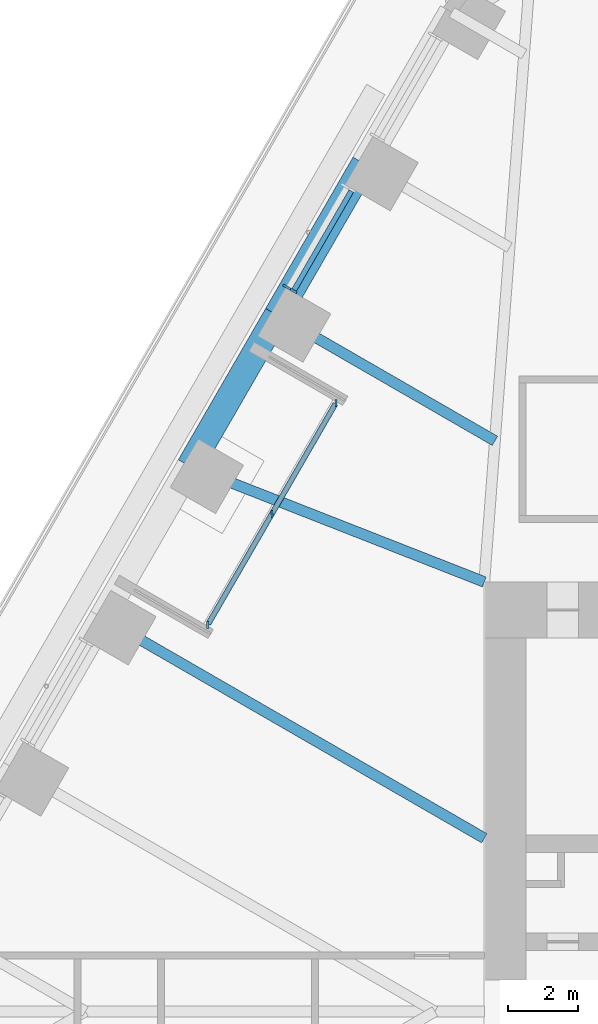
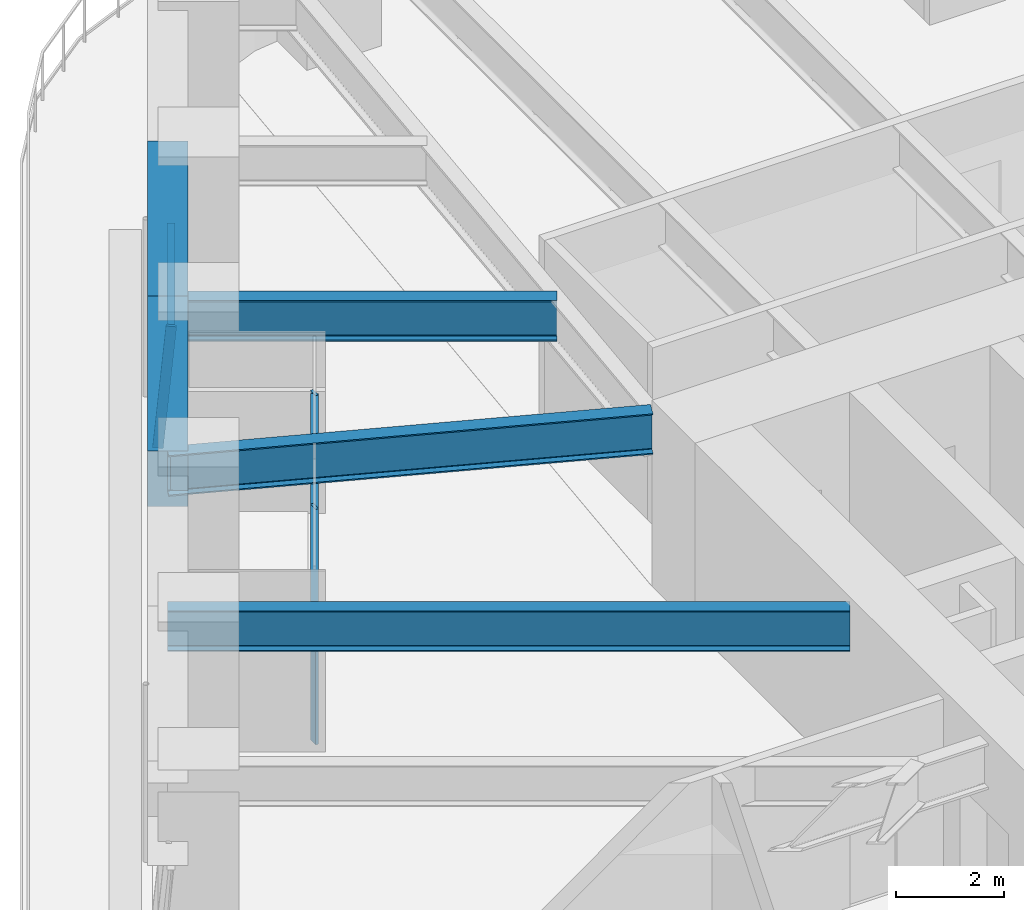
# One storey, part 8 of 24: 6 members, 5 beams, 2 elements without a shape of their own.
"""IFC4 building model written with IfcOpenShell, lengths in metres."""

from ifc_helpers import new_model, si_unit, direction, frame, origin, origin_2d, place, context, subcontext, project, spatial, rectangle, i_section, extrude, material, material_profile, profile_set, type_object, element, aggregate, save


model = new_model("IFC4")

# Units and contexts
model_context = context("Model", 3, precision=1e-05, world=origin(), true_north=direction((0.0, 1.0)))
body_context = subcontext(model_context, "Body", "Model", "MODEL_VIEW")
ifc_project = project(units=[si_unit("LENGTHUNIT", "METRE"), si_unit("AREAUNIT", "SQUARE_METRE"), si_unit("VOLUMEUNIT", "CUBIC_METRE"), si_unit("PLANEANGLEUNIT", "RADIAN"), si_unit("MASSUNIT", "GRAM", prefix="KILO")], contexts=[model_context])

# Site, building, storey
site_placement = place(None, origin())
site = spatial("IfcSite", under=ifc_project, at=site_placement, CompositionType="ELEMENT")
building_placement = place(site_placement, origin())
building = spatial("IfcBuilding", under=site, at=building_placement, Name="Tarfa Lantern Tower", CompositionType="ELEMENT")
storey_placement = place(building_placement, frame((0.0, 0.0, 153.10009765625)))
storey = spatial("IfcBuildingStorey", under=building, at=storey_placement, Name="L34", CompositionType="ELEMENT", Elevation=153.10009765625)

# Curtain wall, member
ifc_material_1 = material(Name="Aluminium framed curtain wall", Category="aluminium")
curtain_wall_type_1 = type_object("IfcCurtainWallType", Name="CW2 CANTED GLAZING MID ZONE 2750", PredefinedType="USERDEFINED", material=ifc_material_1)
curtain_wall_1_placement = place(storey_placement, origin())
curtain_wall_1 = element("IfcCurtainWall", 1, at=curtain_wall_1_placement, inside=storey, type_object=curtain_wall_type_1, Name="CW2 NW L34", ObjectType="CURTAIN WALL", PredefinedType="USERDEFINED")
ifc_material_2 = material(Name="Aluminium mullion", Category="aluminium")
ifc_material_profile_1 = material_profile(ifc_material_2, rectangle(XDim=0.06494140625, YDim=0.199951171875, at=origin_2d()), Name="AL MULLION 65x200")
ifc_profile_set_1 = profile_set([ifc_material_profile_1], Name="Aluminium mullion")
member_type_1 = type_object("IfcMemberType", Name="CWM1 MULLION 65x200", PredefinedType="MULLION", material=ifc_profile_set_1)
member_1_placement = place(storey_placement, frame((-24.275146484375, 20.75439453125, 0.0), z_axis=(0.078422950161, -0.045267813396, 0.995891894715), x_axis=(0.499919672301, 0.866071776036, 0.0)))
member_1 = element("IfcMember", 2, at=member_1_placement, type_object=member_type_1, Name="CW2 mullion 2", PredefinedType="MULLION", context=body_context, shape_type="SweptSolid", body=[
    extrude(rectangle(XDim=0.06494140625, YDim=0.199951171875, at=origin_2d()), origin(), (0.0, 0.0, 1.0), 2.76123046875),
])

# Curtain wall, members
curtain_wall_type_2 = type_object("IfcCurtainWallType", Name="CW10 LOGGIA GLAZING 2750", PredefinedType="USERDEFINED", material=ifc_material_1)
curtain_wall_2_placement = place(storey_placement, origin())
curtain_wall_2 = element("IfcCurtainWall", 3, at=curtain_wall_2_placement, inside=storey, type_object=curtain_wall_type_2, Name="CW10 NWL L34", ObjectType="CURTAIN WALL", PredefinedType="USERDEFINED")
member_2_placement = place(storey_placement, frame((-22.84619140625, 17.429443359375, 0.0), z_axis=(0.0, 0.0, 1.0), x_axis=(1.0, 0.0, 0.0)))
member_2 = element("IfcMember", 4, at=member_2_placement, type_object=member_type_1, Name="CW10 mullion 1", PredefinedType="MULLION", context=body_context, shape_type="SweptSolid", body=[
    extrude(rectangle(XDim=0.06494140625, YDim=0.199951171875, at=origin_2d()), origin(), (0.0, 0.0, 1.0), 2.75),
])
member_3_placement = place(storey_placement, frame((-24.681640625, 14.25, 0.0), z_axis=(0.0, 0.0, 1.0), x_axis=(1.0, 0.0, 0.0)))
member_3 = element("IfcMember", 5, at=member_3_placement, type_object=member_type_1, Name="CW10 mullion 2", PredefinedType="MULLION", context=body_context, shape_type="SweptSolid", body=[
    extrude(rectangle(XDim=0.06494140625, YDim=0.199951171875, at=origin_2d()), origin(), (0.0, 0.0, 1.0), 2.75),
])
member_4_placement = place(storey_placement, frame((-26.517333984375, 11.070556640625, 0.0), z_axis=(0.0, 0.0, 1.0), x_axis=(1.0, 0.0, 0.0)))
member_4 = element("IfcMember", 6, at=member_4_placement, type_object=member_type_1, Name="CW10 mullion 3", PredefinedType="MULLION", context=body_context, shape_type="SweptSolid", body=[
    extrude(rectangle(XDim=0.06494140625, YDim=0.199951171875, at=origin_2d()), origin(), (0.0, 0.0, 1.0), 2.75),
])

# Member
ifc_material_3 = material(Name="Aluminium transom", Category="aluminium")
ifc_material_profile_2 = material_profile(ifc_material_3, rectangle(XDim=0.14990234375, YDim=0.06494140625, at=origin_2d()), Name="AL TRANSOM 150x65")
ifc_profile_set_2 = profile_set([ifc_material_profile_2], Name="Aluminium transom")
member_type_2 = type_object("IfcMemberType", Name="CWT1 TRANSOM 150x65", PredefinedType="USERDEFINED", material=ifc_profile_set_2)
member_5_placement = place(storey_placement, frame((-22.407958984375, 23.494140625, 2.71728515625), z_axis=(-0.500012937857, -0.86601793398, 0.0), x_axis=(0.86601793398, -0.500012937857, 0.0)))
member_5 = element("IfcMember", 7, at=member_5_placement, type_object=member_type_2, Name="CW2 transom 1.2", ObjectType="TRANSOM", PredefinedType="USERDEFINED", context=body_context, shape_type="SweptSolid", body=[
    extrude(rectangle(XDim=0.14990234375, YDim=0.06494140625, at=origin_2d()), origin(), (0.0, 0.0, 1.0), 3.27392578125),
])

aggregate(curtain_wall_1, [member_1, member_5])

member_6_placement = place(storey_placement, frame((-22.8623046875, 17.401123046875, 2.71728515625), z_axis=(-0.500007048974, -0.866021334019, 0.0), x_axis=(0.866021334019, -0.500007048974, 0.0)))
member_6 = element("IfcMember", 8, at=member_6_placement, type_object=member_type_2, Name="CW10 transom 1.2", ObjectType="TRANSOM", PredefinedType="USERDEFINED", context=body_context, shape_type="SweptSolid", body=[
    extrude(rectangle(XDim=0.14990234375, YDim=0.06494140625, at=origin_2d()), origin(), (0.0, 0.0, 1.0), 7.27734375),
])

aggregate(curtain_wall_2, [member_2, member_3, member_4, member_6])

# Beams
ifc_material_4 = material(Name="Concrete C80/95", Category="concrete")
ifc_material_profile_3 = material_profile(ifc_material_4, rectangle(XDim=0.75, YDim=1.25, at=origin_2d()), Name="RC 750x1250")
ifc_profile_set_3 = profile_set([ifc_material_profile_3], Name="Concrete C80/95")
beam_type_1 = type_object("IfcBeamType", Name="EB2 RC 750x1250", PredefinedType="SPANDREL", material=ifc_profile_set_3)
for number, where, z_axis, x_axis, name in (
    (9, (-22.03369140625, 24.276611328125, 3.375), (-0.49998573051, -0.866033642122, 0.0), (0.866033642122, -0.49998573051, 0.0), "Edge beam NW1"),
    (10, (-24.535400390625, 19.943359375, 3.375), (-0.500022324899, -0.866012514114, 0.0), (0.866012514114, -0.500022324899, 0.0), "Edge beam NW2"),
):
    element("IfcBeam", number, at=place(storey_placement, frame(where, z_axis=z_axis, x_axis=x_axis)), inside=storey, type_object=beam_type_1, Name=name, PredefinedType="SPANDREL", context=body_context, shape_type="SweptSolid", body=[
        extrude(rectangle(XDim=0.75, YDim=1.25, at=origin_2d()), origin(), (0.0, 0.0, 1.0), 5.003662109375),
    ])
ifc_material_5 = material(Name="Steel S460M", Category="steel")
ifc_material_profile_4 = material_profile(ifc_material_5, i_section(OverallWidth=0.305419921875, OverallDepth=0.91845703125, WebThickness=0.017333984375, FlangeThickness=0.02783203125, FilletRadius=0.01904296875, at=origin_2d()), Name="UB914x305x253")
ifc_profile_set_4 = profile_set([ifc_material_profile_4], Name="Steel S460M")
beam_type_2 = type_object("IfcBeamType", Name="UB914x305x253", PredefinedType="BEAM", material=ifc_profile_set_4)
beam_1_placement = place(storey_placement, frame((-24.535400390625, 19.943359375, 3.540771484375), z_axis=(0.86602647304, -0.499998147991, 0.0), x_axis=(0.499998147991, 0.86602647304, 0.0)))
element("IfcBeam", 11, at=beam_1_placement, inside=storey, type_object=beam_type_2, Name="Floor beam NW2", PredefinedType="BEAM", context=body_context, shape_type="SweptSolid", body=[
    extrude(i_section(OverallWidth=0.305419921875, OverallDepth=0.91845703125, WebThickness=0.017333984375, FlangeThickness=0.02783203125, FilletRadius=0.01904296875, at=origin_2d()), origin(), (0.0, 0.0, 1.0), 7.20556640625),
])
beam_2_placement = place(storey_placement, frame((-27.037353515625, 15.610107421875, 3.540771484375), z_axis=(0.930923282782, -0.365214788274, 0.0), x_axis=(0.365214788274, 0.930923282782, 0.0)))
element("IfcBeam", 12, at=beam_2_placement, inside=storey, type_object=beam_type_2, Name="Floor beam NW3", PredefinedType="BEAM", context=body_context, shape_type="SweptSolid", body=[
    extrude(i_section(OverallWidth=0.305419921875, OverallDepth=0.91845703125, WebThickness=0.017333984375, FlangeThickness=0.02783203125, FilletRadius=0.01904296875, at=origin_2d()), origin(), (0.0, 0.0, 1.0), 9.063232421875),
])
beam_3_placement = place(storey_placement, frame((-29.5390625, 11.276611328125, 3.540771484375), z_axis=(0.866023362995, -0.500003534735, 0.0), x_axis=(0.500003534735, 0.866023362995, 0.0)))
element("IfcBeam", 13, at=beam_3_placement, inside=storey, type_object=beam_type_2, Name="Floor beam NW4", PredefinedType="BEAM", context=body_context, shape_type="SweptSolid", body=[
    extrude(i_section(OverallWidth=0.305419921875, OverallDepth=0.91845703125, WebThickness=0.017333984375, FlangeThickness=0.02783203125, FilletRadius=0.01904296875, at=origin_2d()), origin(), (0.0, 0.0, 1.0), 12.63134765625),
])

save(model, "model.ifc")
